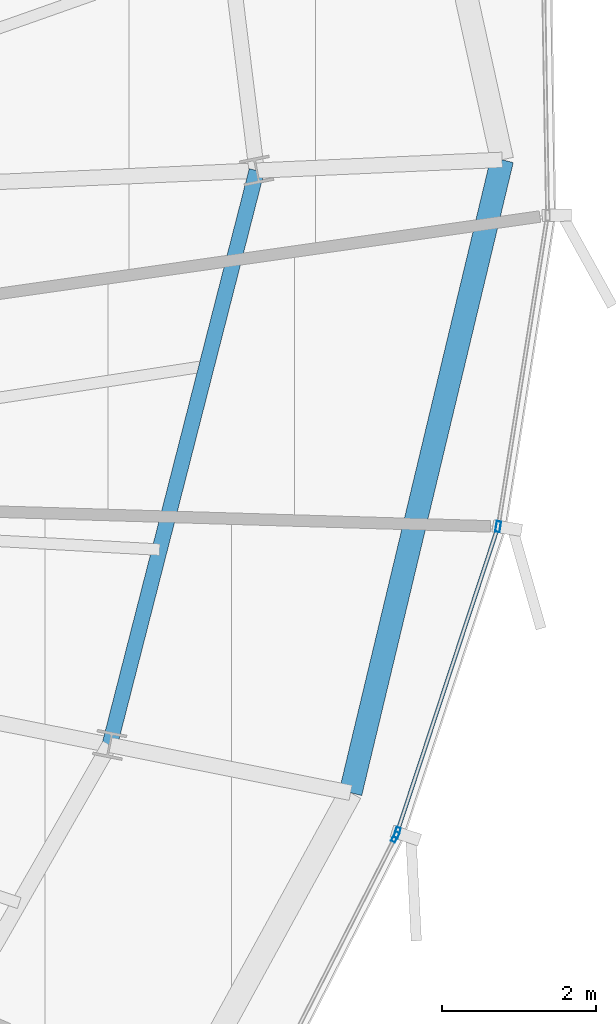
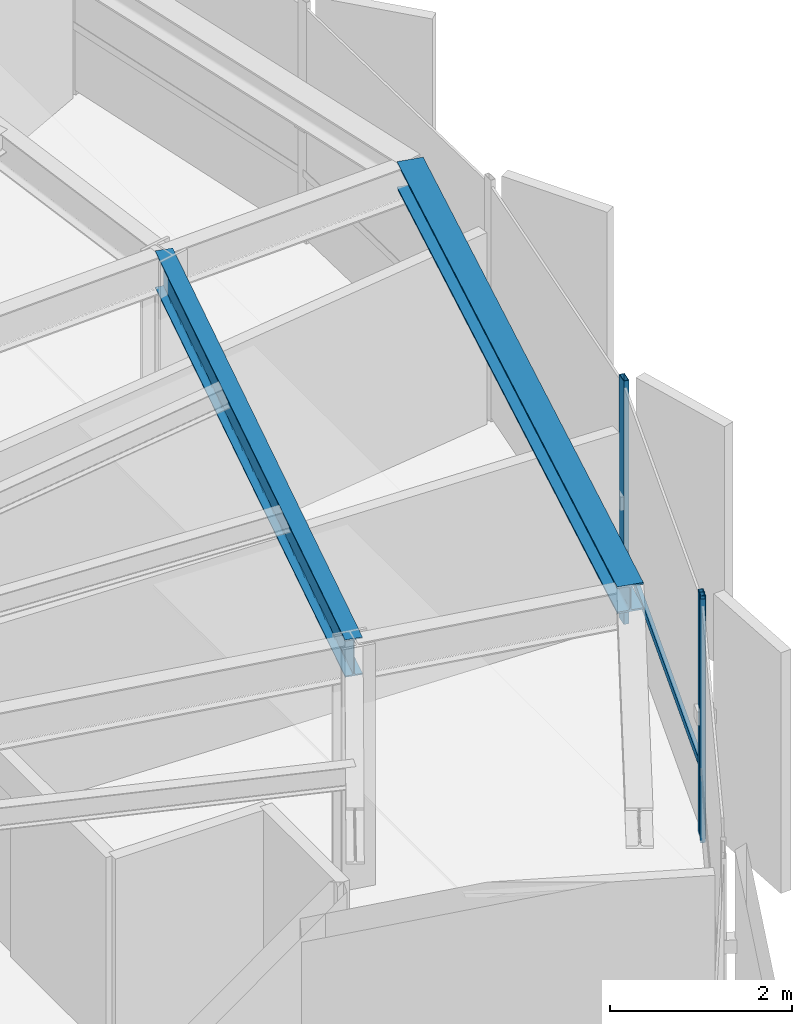
# One storey, part 16 of 35: 4 members, 2 beams, 2 elements without a shape of their own.
"""IFC4 building model written with IfcOpenShell, lengths in metres."""

from ifc_helpers import new_model, si_unit, direction, frame, origin, origin_2d, place, context, subcontext, project, spatial, hollow_rectangle, i_section, extrude, source, transform, mapped, material, layer, layer_set, material_profile, profile_set, type_object, element, aggregate, save


model = new_model("IFC4")

# Units and contexts
model_context = context("Model", 3, precision=1e-05, world=origin(), true_north=direction((0.0, 1.0)))
body_context = subcontext(model_context, "Body", "Model", "MODEL_VIEW")
ifc_project = project(units=[si_unit("LENGTHUNIT", "METRE"), si_unit("AREAUNIT", "SQUARE_METRE"), si_unit("VOLUMEUNIT", "CUBIC_METRE"), si_unit("PLANEANGLEUNIT", "RADIAN"), si_unit("MASSUNIT", "GRAM", prefix="KILO"), si_unit("THERMODYNAMICTEMPERATUREUNIT", "KELVIN")], contexts=[model_context])

# Site, building, storey
site_placement = place(None, origin())
site = spatial("IfcSite", under=ifc_project, at=site_placement, CompositionType="ELEMENT")
building_placement = place(site_placement, origin())
building = spatial("IfcBuilding", under=site, at=building_placement, Name="Kethvar Cultural Tower", CompositionType="ELEMENT")
storey_placement = place(building_placement, frame((0.0, 0.0, 204.39990234375)))
storey = spatial("IfcBuildingStorey", under=building, at=storey_placement, Name="L53", CompositionType="ELEMENT", Elevation=204.39990234375)

# Beams
ifc_material_1 = material(Name="Steel S355J2", Category="steel")
ifc_material_profile_1 = material_profile(ifc_material_1, i_section(OverallWidth=0.199951171875, OverallDepth=0.5, WebThickness=0.01025390625, FlangeThickness=0.01611328125, FilletRadius=0.02099609375, at=origin_2d()), Name="Steel S355J2 — IPE500")
ifc_profile_set_1 = profile_set([ifc_material_profile_1], Name="Steel S355J2 — IPE500")
beam_type_1 = type_object("IfcBeamType", Name="BM-IPE500", PredefinedType="BEAM", material=ifc_profile_set_1)
shared_shape_1 = source(origin(), body_context, "Body", "SweptSolid", [
    extrude(i_section(OverallWidth=0.199951171875, OverallDepth=0.5, WebThickness=0.01025390625, FlangeThickness=0.01611328125, FilletRadius=0.02099609375, at=origin_2d()), origin(), (0.0, 0.0, 1.0), 7.72265625),
])
beam_1_placement = place(storey_placement, frame((64.648681640625, 24.249755859375, 3.008056640625), z_axis=(0.248006445258, 0.968758382214, 0.0), x_axis=(-0.968758382214, 0.248006445258, 0.0)))
element("IfcBeam", 1, at=beam_1_placement, inside=storey, type_object=beam_type_1, Name="L53 Column Ring Tie Beam CR-16", PredefinedType="BEAM", context=body_context, shape_type="MappedRepresentation", body=[
    mapped(shared_shape_1, transform((0.0, 0.0, 0.0), scale=1.0)),
])
ifc_material_profile_2 = material_profile(ifc_material_1, i_section(OverallWidth=0.300048828125, OverallDepth=0.360107421875, WebThickness=0.012451171875, FlangeThickness=0.0224609375, FilletRadius=0.027099609375, at=origin_2d()), Name="Steel S355J2 — HEB360")
ifc_profile_set_2 = profile_set([ifc_material_profile_2], Name="Steel S355J2 — HEB360")
beam_type_2 = type_object("IfcBeamType", Name="BM-SP360", PredefinedType="SPANDREL", material=ifc_profile_set_2)
shared_shape_2 = source(origin(), body_context, "Body", "SweptSolid", [
    extrude(i_section(OverallWidth=0.300048828125, OverallDepth=0.360107421875, WebThickness=0.012451171875, FlangeThickness=0.0224609375, FilletRadius=0.027099609375, at=origin_2d()), origin(), (0.0, 0.0, 1.0), 8.47900390625),
])
beam_2_placement = place(storey_placement, frame((67.787109375, 23.62548828125, 3.078125), z_axis=(0.232794647368, 0.97252591336, 0.0), x_axis=(-0.97252591336, 0.232794647368, 0.0)))
element("IfcBeam", 2, at=beam_2_placement, inside=storey, type_object=beam_type_2, Name="L53 Perimeter Spandrel Beam SP-16", PredefinedType="SPANDREL", context=body_context, shape_type="MappedRepresentation", body=[
    mapped(shared_shape_2, transform((0.0, 0.0, 0.0), scale=1.0)),
])

# Curtain wall, member
ifc_material_2 = material(Name="Aluminium 6063-T6", Category="aluminium")
ifc_layer = layer(ifc_material_2, 0.179931640625, Name="Aluminium 6063-T6", Category="aluminium")
ifc_layer_set = layer_set([ifc_layer], Name="Aluminium 6063-T6 (180 mm)")
curtain_wall_type = type_object("IfcCurtainWallType", Name="CW-SYS-04-Z34", PredefinedType="NOTDEFINED", material=ifc_layer_set)
curtain_wall_1_placement = place(storey_placement, origin())
curtain_wall_1 = element("IfcCurtainWall", 3, at=curtain_wall_1_placement, inside=storey, type_object=curtain_wall_type, Name="L53 Curtain Wall Run 06", PredefinedType="NOTDEFINED")
ifc_material_profile_3 = material_profile(ifc_material_2, hollow_rectangle(XDim=0.050048828125, YDim=0.10009765625, WallThickness=0.00390625, at=origin_2d()), Name="Aluminium 6063-T6 — RHS100x50x4")
ifc_profile_set_3 = profile_set([ifc_material_profile_3], Name="Aluminium 6063-T6 — RHS100x50x4")
member_type_1 = type_object("IfcMemberType", Name="CW-SYS-04-Z34-TRN", PredefinedType="USERDEFINED", material=ifc_profile_set_3)
shared_shape_3 = source(origin(), body_context, "Body", "SweptSolid", [
    extrude(hollow_rectangle(XDim=0.050048828125, YDim=0.10009765625, WallThickness=0.00390625, at=origin_2d()), origin(), (0.0, 0.0, 1.0), 4.169189453125),
])
member_1_placement = place(storey_placement, frame((68.39453125, 23.10986328125, 0.9501953125), z_axis=(0.313292431281, 0.949656702447, 0.0), x_axis=(-0.949656702447, 0.313292431281, 0.0)))
member_1 = element("IfcMember", 4, at=member_1_placement, type_object=member_type_1, Name="CW-L53-R06 Transom 1", ObjectType="TRANSOM", PredefinedType="USERDEFINED", context=body_context, shape_type="MappedRepresentation", body=[
    mapped(shared_shape_3, transform((0.0, 0.0, 0.0), scale=1.0)),
])

curtain_wall_2_placement = place(storey_placement, origin())
curtain_wall_2 = element("IfcCurtainWall", 5, at=curtain_wall_2_placement, inside=storey, type_object=curtain_wall_type, Name="L53 Curtain Wall Run 05", PredefinedType="NOTDEFINED")
ifc_material_profile_4 = material_profile(ifc_material_2, hollow_rectangle(XDim=0.06005859375, YDim=0.139892578125, WallThickness=0.0048828125, at=origin_2d()), Name="Aluminium 6063-T6 — RHS140x60x5")
ifc_profile_set_4 = profile_set([ifc_material_profile_4], Name="Aluminium 6063-T6 — RHS140x60x5")
member_type_2 = type_object("IfcMemberType", Name="CW-SYS-04-Z34-MUL", PredefinedType="MULLION", material=ifc_profile_set_4)
shared_shape_4 = source(origin(), body_context, "Body", "SweptSolid", [
    extrude(hollow_rectangle(XDim=0.06005859375, YDim=0.139892578125, WallThickness=0.0048828125, at=origin_2d()), origin(), (0.0, 0.0, 1.0), 3.260009765625),
])
member_2_placement = place(storey_placement, frame((68.36962890625, 23.049560546875, 0.0), z_axis=(0.0, 0.0, 1.0), x_axis=(-0.89114118666, 0.453726112802, 0.0)))
member_2 = element("IfcMember", 6, at=member_2_placement, type_object=member_type_2, Name="CW-L53-R05 Mullion 7", PredefinedType="MULLION", context=body_context, shape_type="MappedRepresentation", body=[
    mapped(shared_shape_4, transform((0.0, 0.0, 0.0), scale=1.0)),
])
aggregate(curtain_wall_2, [member_2])

# Member
member_3_placement = place(storey_placement, frame((68.393310546875, 23.105712890625, 0.0), z_axis=(0.0, 0.0, 1.0), x_axis=(-0.949655391028, 0.313296406444, 0.0)))
member_3 = element("IfcMember", 7, at=member_3_placement, type_object=member_type_2, Name="CW-L53-R06 Mullion 1", PredefinedType="MULLION", context=body_context, shape_type="MappedRepresentation", body=[
    mapped(shared_shape_4, transform((0.0, 0.0, 0.0), scale=1.0)),
])

member_4_placement = place(storey_placement, frame((69.710205078125, 27.093017578125, 0.0), z_axis=(0.0, 0.0, 1.0), x_axis=(-0.987693800586, 0.156399988118, 0.0)))
member_4 = element("IfcMember", 8, at=member_4_placement, type_object=member_type_2, Name="CW-L53-R06 Mullion 2", PredefinedType="MULLION", context=body_context, shape_type="MappedRepresentation", body=[
    mapped(shared_shape_4, transform((0.0, 0.0, 0.0), scale=1.0)),
])

aggregate(curtain_wall_1, [member_3, member_4, member_1])

save(model, "model.ifc")
